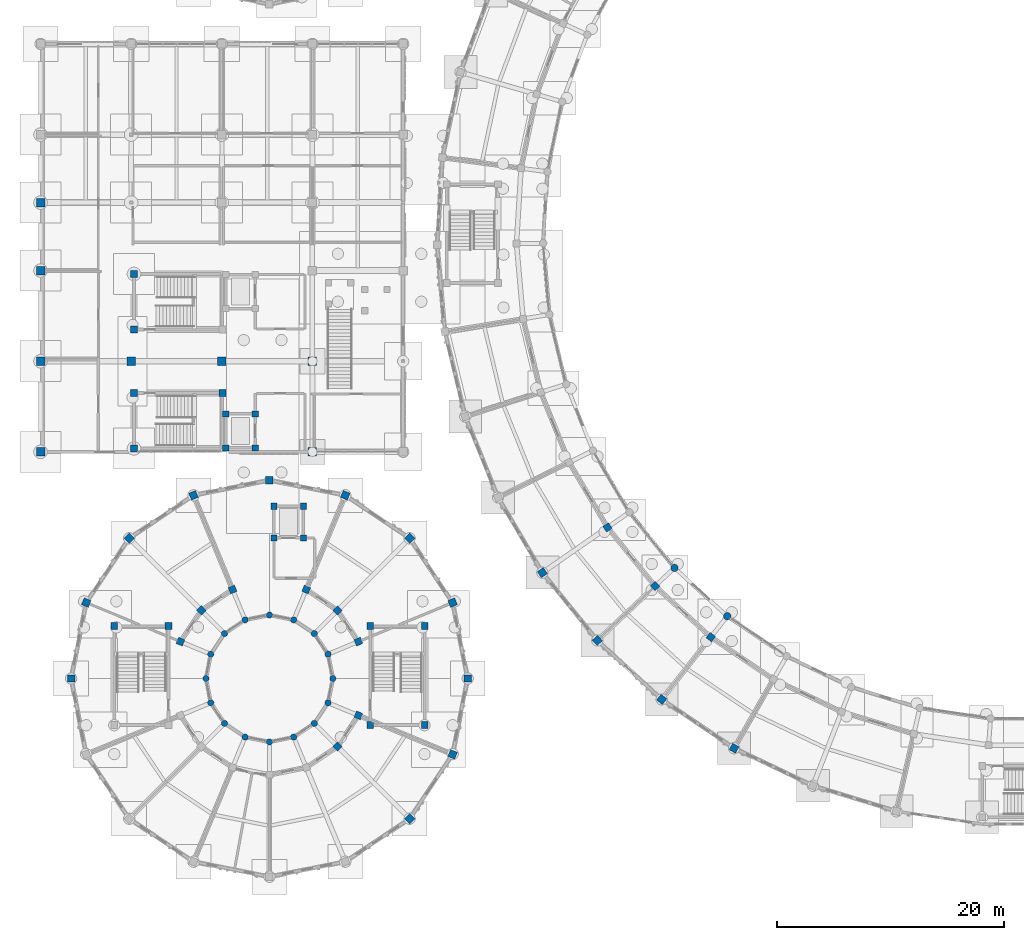
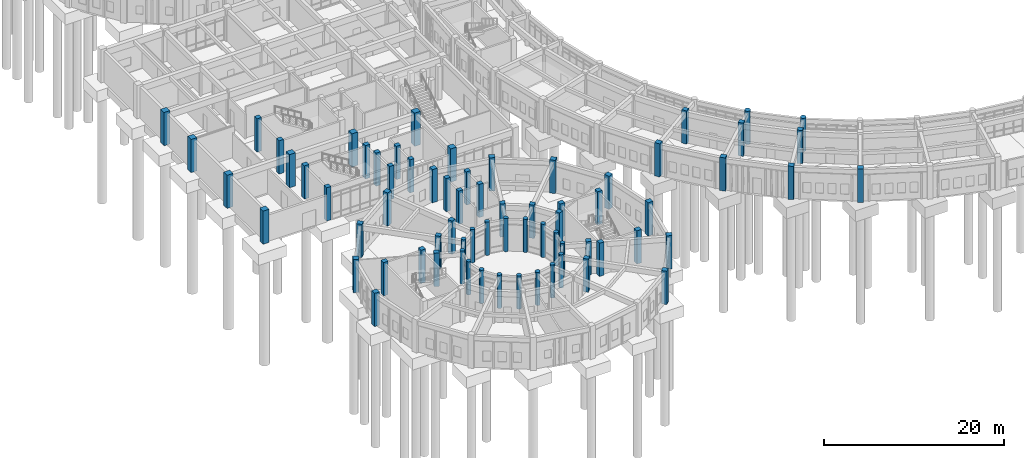
# One storey, part 8 of 153: 71 columns.
"""IFC4 building model written with IfcOpenShell, lengths in metres."""

import ifcopenshell
import ifcopenshell.guid

model = None  # the IFC model being written
_history = None  # IfcOwnerHistory: only IFC2X3 demands one
_inside = {}  # id of a spatial element -> (the spatial element, [elements in it])
_under = {}  # id of a project, library or spatial element -> (it, [spatial elements below it])
_declared = {}  # id of a project -> (the project, [libraries it declares])
_typed = {}  # id of a type object -> (the type object, [elements of that type])
_made_of = {}  # id of a material, layer set ... -> (it, [elements and type objects made of it])


def new_model(schema):
    """Start an empty IFC model of exactly this schema.

    Asked for "IFC4X3", IfcOpenShell would pick the latest addendum, in which some entities
    have other attributes; the version numbers below select the first issue.
    IFC2X3 requires an IfcOwnerHistory on every rooted entity: one is made here for all.
    """
    global model, _history
    if schema == "IFC4X3":
        model = ifcopenshell.file(schema_version=(4, 3, 0, 0))
    else:
        model = ifcopenshell.file(schema=schema)
    _inside.clear()
    _under.clear()
    _declared.clear()
    _typed.clear()
    _made_of.clear()
    _history = None
    if model.schema == "IFC2X3":
        org = make("IfcOrganization", Name="unknown")
        user = make(
            "IfcPersonAndOrganization",
            ThePerson=make("IfcPerson", FamilyName="unknown"),
            TheOrganization=org,
        )
        app = make(
            "IfcApplication",
            ApplicationDeveloper=org,
            Version="unknown",
            ApplicationFullName="unknown",
            ApplicationIdentifier="unknown",
        )
        _history = make(
            "IfcOwnerHistory",
            OwningUser=user,
            OwningApplication=app,
            ChangeAction="ADDED",
            CreationDate=0,
        )
    return model


def make(cls, **values):
    """One entity of the class cls with the attributes given. An attribute that is None is left unset."""
    return model.create_entity(
        cls, **{name: value for name, value in values.items() if value is not None}
    )


def rooted(cls, **values):
    """An entity with a GlobalId (a new one), such as an element, a storey or a relation."""
    return make(cls, GlobalId=ifcopenshell.guid.new(), OwnerHistory=_history, **values)


def si_unit(unit_type, name, prefix=None):
    """IfcSIUnit, for example si_unit("LENGTHUNIT", "METRE", prefix="MILLI")."""
    return make("IfcSIUnit", UnitType=unit_type, Prefix=prefix, Name=name)


def assignment(units):
    """IfcUnitAssignment: the units of a project."""
    return None if units is None else make("IfcUnitAssignment", Units=units)


def point(xyz):
    """IfcCartesianPoint."""
    return None if xyz is None else make("IfcCartesianPoint", Coordinates=xyz)


def direction(xyz):
    """IfcDirection."""
    return None if xyz is None else make("IfcDirection", DirectionRatios=xyz)


def frame(location, z_axis=None, x_axis=None):
    """IfcAxis2Placement3D, a coordinate frame: its origin and axes. An axis left out is left unset."""
    return make(
        "IfcAxis2Placement3D",
        Location=point(location),
        Axis=direction(z_axis),
        RefDirection=direction(x_axis),
    )


def frame_2d(location, x_axis=None):
    """IfcAxis2Placement2D, a coordinate frame in the plane: its origin and x axis."""
    return make(
        "IfcAxis2Placement2D", Location=point(location), RefDirection=direction(x_axis)
    )


def origin():
    """The frame at (0, 0, 0) with its axes left unset."""
    return frame((0.0, 0.0, 0.0))


def origin_2d():
    """The frame at (0, 0) in the plane with its x axis left unset."""
    return frame_2d((0.0, 0.0))


def place(relative_to, where):
    """IfcLocalPlacement: puts the frame where relative to a parent placement (None: the world)."""
    return make(
        "IfcLocalPlacement", PlacementRelTo=relative_to, RelativePlacement=where
    )


def context(
    kind, dimensions, precision=None, world=None, true_north=None, identifier=None
):
    """IfcGeometricRepresentationContext, for example the 3D "Model" context."""
    return make(
        "IfcGeometricRepresentationContext",
        ContextIdentifier=identifier,
        ContextType=kind,
        CoordinateSpaceDimension=dimensions,
        Precision=precision,
        WorldCoordinateSystem=world,
        TrueNorth=true_north,
    )


def subcontext(parent, identifier, kind, view, scale=None):
    """IfcGeometricRepresentationSubContext, for example "Body" below "Model"."""
    return make(
        "IfcGeometricRepresentationSubContext",
        ContextIdentifier=identifier,
        ContextType=kind,
        ParentContext=parent,
        TargetScale=scale,
        TargetView=view,
    )


def project(units=None, contexts=None):
    """IfcProject with its units and contexts."""
    return rooted(
        "IfcProject",
        Name="project",
        RepresentationContexts=contexts,
        UnitsInContext=assignment(units),
    )


def spatial(cls, under=None, at=None, **own):
    """A site, building, storey or space (cls), placed at a placement, below another one or the project."""
    s = rooted(cls, ObjectPlacement=at, **own)
    if under is not None:
        _under.setdefault(under.id(), (under, []))[1].append(s)
    return s


def profile(cls, at=None, kind="AREA", **sizes):
    """A parametric profile (cls). Its sizes go by their IFC names, for example OverallWidth=200.0."""
    return make(cls, ProfileType=kind, Position=at, **sizes)


def rectangle(**sizes):
    """IfcRectangleProfileDef."""
    return profile("IfcRectangleProfileDef", **sizes)


def circle(**sizes):
    """IfcCircleProfileDef."""
    return profile("IfcCircleProfileDef", **sizes)


def extrude(swept, where, along, depth):
    """IfcExtrudedAreaSolid: the profile swept, set in the frame where, extruded along a direction by depth."""
    return make(
        "IfcExtrudedAreaSolid",
        SweptArea=swept,
        Position=where,
        ExtrudedDirection=direction(along),
        Depth=depth,
    )


def shape(context_of_items, identifier, shape_type, items):
    """IfcShapeRepresentation: the items that make up one representation, for example the "Body"."""
    return make(
        "IfcShapeRepresentation",
        ContextOfItems=context_of_items,
        RepresentationIdentifier=identifier,
        RepresentationType=shape_type,
        Items=items,
    )


def material(Name=None, Category=None):
    """IfcMaterial."""
    return make("IfcMaterial", Name=Name, Category=Category)


def material_profile(
    of_material, cross_section, Name=None, Category=None, Priority=None
):
    """IfcMaterialProfile: a cross section and its material."""
    return make(
        "IfcMaterialProfile",
        Name=Name,
        Material=of_material,
        Profile=cross_section,
        Priority=Priority,
        Category=Category,
    )


def profile_set(profiles, Name=None, composite=None):
    """IfcMaterialProfileSet."""
    return make(
        "IfcMaterialProfileSet",
        Name=Name,
        MaterialProfiles=profiles,
        CompositeProfile=composite,
    )


def made_of(thing, what):
    """Note that an element or type object is made of a material, layer set ...; save() writes the relation."""
    if what is not None:
        _made_of.setdefault(what.id(), (what, []))[1].append(thing)
    return thing


def type_object(cls, material=None, **own):
    """A type object (cls), such as IfcWallType, which elements share."""
    return made_of(rooted(cls, **own), material)


def element(
    cls,
    number,
    at=None,
    inside=None,
    cuts=None,
    type_object=None,
    material=None,
    context=None,
    identifier="Body",
    shape_type=None,
    held_by="IfcProductDefinitionShape",
    body=None,
    shapes=None,
    **own,
):
    """One element of the class cls, such as IfcWall. Its Tag is "e" and its number.

    at: its placement. inside: the storey or other place that contains it. cuts: it is an
    opening in that element (IfcRelVoidsElement). A single representation is given by context,
    identifier, shape_type and body (its items); several are given by shapes. held_by: the class
    of the entity that holds the representations. save() writes the other relations.
    """
    e = rooted(cls, Tag="e%d" % number, ObjectPlacement=at, **own)
    if body is not None:
        shapes = [shape(context, identifier, shape_type, body)]
    if shapes is not None:
        e.Representation = make(held_by, Representations=shapes)
    if inside is not None:
        _inside.setdefault(inside.id(), (inside, []))[1].append(e)
    if cuts is not None:
        rooted(
            "IfcRelVoidsElement", RelatingBuildingElement=cuts, RelatedOpeningElement=e
        )
    if type_object is not None:
        _typed.setdefault(type_object.id(), (type_object, []))[1].append(e)
    return made_of(e, material)


def aggregate(whole, parts):
    """IfcRelAggregates: a whole, such as a stair, and the parts it consists of."""
    return rooted("IfcRelAggregates", RelatingObject=whole, RelatedObjects=parts)


def save(model, path):
    """Write the relations noted so far, then the file.

    IfcRelAggregates (storeys below a building ...), IfcRelContainedInSpatialStructure (elements
    in a storey), IfcRelDefinesByType, IfcRelAssociatesMaterial and IfcRelDeclares: one each for
    every whole, place, type object, material and project.
    """
    for whole, parts in _under.values():
        aggregate(whole, parts)
    for where, things in _inside.values():
        rooted(
            "IfcRelContainedInSpatialStructure",
            RelatedElements=things,
            RelatingStructure=where,
        )
    for kind, things in _typed.values():
        rooted("IfcRelDefinesByType", RelatedObjects=things, RelatingType=kind)
    for what, things in _made_of.values():
        rooted("IfcRelAssociatesMaterial", RelatedObjects=things, RelatingMaterial=what)
    for by, libraries in _declared.values():
        rooted("IfcRelDeclares", RelatingContext=by, RelatedDefinitions=libraries)
    model.write(path)


model = new_model("IFC4")

# Units and contexts
model_context = context("Model", 3, precision=1e-05, world=origin(), true_north=direction((0.0, 1.0)))
body_context = subcontext(model_context, "Body", "Model", "MODEL_VIEW")
ifc_project = project(units=[si_unit("LENGTHUNIT", "METRE"), si_unit("AREAUNIT", "SQUARE_METRE"), si_unit("VOLUMEUNIT", "CUBIC_METRE"), si_unit("PLANEANGLEUNIT", "RADIAN"), si_unit("MASSUNIT", "GRAM", prefix="KILO")], contexts=[model_context])

# Site, building, storey
site_placement = place(None, origin())
site = spatial("IfcSite", under=ifc_project, at=site_placement, CompositionType="ELEMENT")
building_placement = place(site_placement, origin())
building = spatial("IfcBuilding", under=site, at=building_placement, Name="Celadon Cloister-Ring School", CompositionType="ELEMENT")
storey_placement = place(building_placement, origin())
storey = spatial("IfcBuildingStorey", under=building, at=storey_placement, Name="L00", CompositionType="ELEMENT", Elevation=0.0)

# Columns
ifc_material_1 = material(Name="Concrete C40/50", Category="concrete")
ifc_material_profile_1 = material_profile(ifc_material_1, rectangle(XDim=0.75, YDim=0.75, at=origin_2d()), Name="RC750X750")
ifc_profile_set_1 = profile_set([ifc_material_profile_1], Name="Concrete C40/50")
column_type_1 = type_object("IfcColumnType", Name="CT-01", PredefinedType="COLUMN", material=ifc_profile_set_1)
for number, where, z_axis, x_axis, name in (
    (1, (0.0, 40.0, 0.0), (0.0, 0.0, 1.0), (1.0, 0.0, 0.0), "Column 1058"),
    (2, (0.0, 48.0, 0.0), (0.0, 0.0, 1.0), (1.0, 0.0, 0.0), "Column 1064"),
    (3, (0.0, 56.0, 0.0), (0.0, 0.0, 1.0), (1.0, 0.0, 0.0), "Column 1070"),
    (4, (0.0, 62.0, 0.0), (0.0, 0.0, 1.0), (1.0, 0.0, 0.0), "Column 1076"),
    (5, (16.0, 48.0, 0.0), (0.0, 0.0, 1.0), (1.0, 0.0, 0.0), "Column 1092"),
    (6, (24.0, 40.0, 0.0), (0.0, 0.0, 1.0), (1.0, 0.0, 0.0), "Column 1114"),
    (7, (24.0, 48.0, 0.0), (0.0, 0.0, 1.0), (1.0, 0.0, 0.0), "Column 1120"),
    (8, (8.0, 48.0, 0.0), (0.0, 0.0, 1.0), (1.0, 0.0, 0.0), "Column 1177"),
):
    element("IfcColumn", number, at=place(storey_placement, frame(where, z_axis=z_axis, x_axis=x_axis)), inside=storey, type_object=column_type_1, Name=name, PredefinedType="COLUMN", context=body_context, shape_type="SweptSolid", body=[
        extrude(rectangle(XDim=0.75, YDim=0.75, at=origin_2d()), origin(), (0.0, 0.0, 1.0), 4.5),
    ])
ifc_material_2 = material(Name="Concrete C40/50", Category="concrete")
ifc_material_profile_2 = material_profile(ifc_material_2, rectangle(XDim=0.60009765625, YDim=0.60009765625, at=origin_2d()), Name="RC600X600")
ifc_profile_set_2 = profile_set([ifc_material_profile_2], Name="Concrete C40/50")
column_type_2 = type_object("IfcColumnType", Name="CT-04", PredefinedType="COLUMN", material=ifc_profile_set_2)
for number, where, z_axis, x_axis, name in (
    (9, (8.25, 40.300048828125, 0.0), (0.0, 0.0, 1.0), (1.0, 0.0, 0.0), "Column 0123"),
    (10, (16.050048828125, 45.199951171875, 0.0), (0.0, 0.0, 1.0), (1.0, 0.0, 0.0), "Column 0129"),
    (11, (8.25, 45.199951171875, 0.0), (0.0, 0.0, 1.0), (1.0, 0.0, 0.0), "Column 0135"),
    (12, (8.25, 50.800048828125, 0.0), (0.0, 0.0, 1.0), (1.0, 0.0, 0.0), "Column 0141"),
    (13, (8.25, 55.699951171875, 0.0), (0.0, 0.0, 1.0), (1.0, 0.0, 0.0), "Column 0153"),
    (14, (11.300048828125, 24.6201171875, 0.0), (0.0, 0.0, 1.0), (1.0, 0.0, 0.0), "Column 0167"),
    (15, (6.5, 24.6201171875, 0.0), (0.0, 0.0, 1.0), (1.0, 0.0, 0.0), "Column 0171"),
    (16, (29.10009765625, 15.89990234375, 0.0), (0.0, 0.0, 1.0), (1.0, 0.0, 0.0), "Column 0175"),
    (17, (33.89990234375, 15.89990234375, 0.0), (0.0, 0.0, 1.0), (1.0, 0.0, 0.0), "Column 0179"),
    (18, (33.89990234375, 24.6201171875, 0.0), (0.0, 0.0, 1.0), (1.0, 0.0, 0.0), "Column 0183"),
    (19, (29.10009765625, 24.6201171875, 0.0), (0.0, 0.0, 1.0), (1.0, 0.0, 0.0), "Column 0187"),
    (20, (50.0380859375, 33.3330078125, 0.0), (0.0, 0.0, 1.0), (-0.821388197028, -0.57036955545, 0.0), "Column 0440"),
    (21, (54.235107421875, 28.154052734375, 0.0), (0.0, 0.0, 1.0), (-0.728107824814, -0.685462614185, 0.0), "Column 0444"),
    (22, (59.152099609375, 23.652099609375, 0.0), (0.0, 0.0, 1.0), (-0.618847204173, -0.785511386224, 0.0), "Column 0448"),
    (23, (28.052978515625, 23.2529296875, 0.0), (0.0, 0.0, 1.0), (0.923879532511, 0.382683432365, 0.0), "Column 1263"),
    (24, (26.2099609375, 26.010009765625, 0.0), (0.0, 0.0, 1.0), (0.707106781187, 0.707106781187, 0.0), "Column 1267"),
    (25, (23.452880859375, 27.85302734375, 0.0), (0.0, 0.0, 1.0), (0.382683432365, 0.923879532511, 0.0), "Column 1271"),
    (26, (16.947021484375, 27.85302734375, 0.0), (0.0, 0.0, 1.0), (-0.382683432365, 0.923879532511, 0.0), "Column 1275"),
    (27, (14.18994140625, 26.010009765625, 0.0), (0.0, 0.0, 1.0), (-0.707106781187, 0.707106781187, 0.0), "Column 1279"),
    (28, (12.346923828125, 23.2529296875, 0.0), (0.0, 0.0, 1.0), (-0.923879532511, 0.382683432365, 0.0), "Column 1283"),
    (29, (26.2099609375, 13.989990234375, 0.0), (0.0, 0.0, 1.0), (0.707106781187, -0.707106781187, 0.0), "Column 1307"),
    (30, (28.052978515625, 16.7470703125, 0.0), (0.0, 0.0, 1.0), (0.923879532511, -0.382683432365, 0.0), "Column 1311"),
):
    element("IfcColumn", number, at=place(storey_placement, frame(where, z_axis=z_axis, x_axis=x_axis)), inside=storey, type_object=column_type_2, Name=name, PredefinedType="COLUMN", context=body_context, shape_type="SweptSolid", body=[
        extrude(rectangle(XDim=0.60009765625, YDim=0.60009765625, at=origin_2d()), origin(), (0.0, 0.0, 1.0), 4.5),
    ])
ifc_material_3 = material(Name="Concrete C40/50", Category="concrete")
ifc_material_profile_3 = material_profile(ifc_material_3, rectangle(XDim=0.550048828125, YDim=0.550048828125, at=origin_2d()), Name="RC550X550")
ifc_profile_set_3 = profile_set([ifc_material_profile_3], Name="Concrete C40/50")
column_type_3 = type_object("IfcColumnType", Name="CT-05", PredefinedType="COLUMN", material=ifc_profile_set_3)
for number, where, z_axis, x_axis, name in (
    (31, (16.35009765625, 40.35009765625, 0.0), (0.0, 0.0, 1.0), (1.0, 0.0, 0.0), "Column 0212"),
    (32, (18.949951171875, 40.35009765625, 0.0), (0.0, 0.0, 1.0), (1.0, 0.0, 0.0), "Column 0218"),
    (33, (18.949951171875, 43.35009765625, 0.0), (0.0, 0.0, 1.0), (1.0, 0.0, 0.0), "Column 0224"),
    (34, (16.35009765625, 43.35009765625, 0.0), (0.0, 0.0, 1.0), (1.0, 0.0, 0.0), "Column 0230"),
    (35, (20.60009765625, 32.39990234375, 0.0), (0.0, 0.0, 1.0), (1.0, 0.0, 0.0), "Column 0292"),
    (36, (23.199951171875, 32.39990234375, 0.0), (0.0, 0.0, 1.0), (1.0, 0.0, 0.0), "Column 0296"),
    (37, (23.199951171875, 35.199951171875, 0.0), (0.0, 0.0, 1.0), (1.0, 0.0, 0.0), "Column 0300"),
    (38, (20.60009765625, 35.199951171875, 0.0), (0.0, 0.0, 1.0), (1.0, 0.0, 0.0), "Column 0304"),
):
    element("IfcColumn", number, at=place(storey_placement, frame(where, z_axis=z_axis, x_axis=x_axis)), inside=storey, type_object=column_type_3, Name=name, PredefinedType="COLUMN", context=body_context, shape_type="SweptSolid", body=[
        extrude(rectangle(XDim=0.550048828125, YDim=0.550048828125, at=origin_2d()), origin(), (0.0, 0.0, 1.0), 4.5),
    ])
ifc_material_4 = material(Name="Concrete C40/50", Category="concrete")
ifc_material_profile_4 = material_profile(ifc_material_4, circle(Radius=0.27490234375, at=origin_2d()), Name="CIRC550")
ifc_profile_set_4 = profile_set([ifc_material_profile_4], Name="Concrete C40/50")
column_type_4 = type_object("IfcColumnType", Name="CT-07", PredefinedType="COLUMN", material=ifc_profile_set_4)
for number, where, z_axis, x_axis, name in (
    (39, (25.800048828125, 20.0, 0.0), (0.0, 0.0, 1.0), (1.0, 0.0, 0.0), "Column 1199"),
    (40, (25.3740234375, 22.14306640625, 0.0), (0.0, 0.0, 1.0), (1.0, 0.0, 0.0), "Column 1203"),
    (41, (24.159912109375, 23.9599609375, 0.0), (0.0, 0.0, 1.0), (1.0, 0.0, 0.0), "Column 1207"),
    (42, (22.343017578125, 25.174072265625, 0.0), (0.0, 0.0, 1.0), (1.0, 0.0, 0.0), "Column 1211"),
    (43, (20.199951171875, 25.60009765625, 0.0), (0.0, 0.0, 1.0), (1.0, 0.0, 0.0), "Column 1215"),
    (44, (18.056884765625, 25.174072265625, 0.0), (0.0, 0.0, 1.0), (1.0, 0.0, 0.0), "Column 1219"),
    (45, (16.239990234375, 23.9599609375, 0.0), (0.0, 0.0, 1.0), (1.0, 0.0, 0.0), "Column 1223"),
    (46, (15.02587890625, 22.14306640625, 0.0), (0.0, 0.0, 1.0), (1.0, 0.0, 0.0), "Column 1227"),
    (47, (14.60009765625, 20.0, 0.0), (0.0, 0.0, 1.0), (1.0, 0.0, 0.0), "Column 1231"),
    (48, (15.02587890625, 17.85693359375, 0.0), (0.0, 0.0, 1.0), (1.0, 0.0, 0.0), "Column 1235"),
    (49, (16.239990234375, 16.0400390625, 0.0), (0.0, 0.0, 1.0), (1.0, 0.0, 0.0), "Column 1239"),
    (50, (18.056884765625, 14.825927734375, 0.0), (0.0, 0.0, 1.0), (1.0, 0.0, 0.0), "Column 1243"),
    (51, (20.199951171875, 14.39990234375, 0.0), (0.0, 0.0, 1.0), (1.0, 0.0, 0.0), "Column 1247"),
    (52, (22.343017578125, 14.825927734375, 0.0), (0.0, 0.0, 1.0), (1.0, 0.0, 0.0), "Column 1251"),
    (53, (24.159912109375, 16.0400390625, 0.0), (0.0, 0.0, 1.0), (1.0, 0.0, 0.0), "Column 1255"),
    (54, (25.3740234375, 17.85693359375, 0.0), (0.0, 0.0, 1.0), (1.0, 0.0, 0.0), "Column 1259"),
):
    element("IfcColumn", number, at=place(storey_placement, frame(where, z_axis=z_axis, x_axis=x_axis)), inside=storey, type_object=column_type_4, Name=name, PredefinedType="COLUMN", context=body_context, shape_type="SweptSolid", body=[
        extrude(circle(Radius=0.27490234375, at=origin_2d()), origin(), (0.0, 0.0, 1.0), 4.5),
    ])
ifc_material_5 = material(Name="Concrete C40/50", Category="concrete")
ifc_material_profile_5 = material_profile(ifc_material_5, rectangle(XDim=0.64990234375, YDim=0.64990234375, at=origin_2d()), Name="RC650X650")
ifc_profile_set_5 = profile_set([ifc_material_profile_5], Name="Concrete C40/50")
column_type_5 = type_object("IfcColumnType", Name="CT-22", PredefinedType="COLUMN", material=ifc_profile_set_5)
for number, where, z_axis, x_axis, name in (
    (55, (44.2880859375, 29.341064453125, 0.0), (0.0, 0.0, 1.0), (-0.821388197028, -0.57036955545, 0.0), "Column 0584"),
    (56, (49.137939453125, 23.35595703125, 0.0), (0.0, 0.0, 1.0), (-0.728107824814, -0.685462614185, 0.0), "Column 0588"),
    (57, (54.820068359375, 18.153076171875, 0.0), (0.0, 0.0, 1.0), (-0.618847204173, -0.785511386224, 0.0), "Column 0592"),
    (58, (61.2080078125, 13.846923828125, 0.0), (0.0, 0.0, 1.0), (-0.496004347874, -0.868320037135, 0.0), "Column 0596"),
    (59, (37.699951171875, 20.0, 0.0), (0.0, 0.0, 1.0), (1.0, 0.0, 0.0), "Column 1315"),
    (60, (36.367919921875, 26.697021484375, 0.0), (0.0, 0.0, 1.0), (0.923879532511, 0.382683432365, 0.0), "Column 1319"),
    (61, (32.573974609375, 32.3740234375, 0.0), (0.0, 0.0, 1.0), (0.707106781187, 0.707106781187, 0.0), "Column 1323"),
    (62, (26.89697265625, 36.16796875, 0.0), (0.0, 0.0, 1.0), (0.382683432365, 0.923879532511, 0.0), "Column 1327"),
    (63, (20.199951171875, 37.5, 0.0), (0.0, 0.0, 1.0), (0.0, 1.0, 0.0), "Column 1331"),
    (64, (13.5029296875, 36.16796875, 0.0), (0.0, 0.0, 1.0), (-0.382683432365, 0.923879532511, 0.0), "Column 1335"),
    (65, (7.825927734375, 32.3740234375, 0.0), (0.0, 0.0, 1.0), (-0.707106781187, 0.707106781187, 0.0), "Column 1339"),
    (66, (4.031982421875, 26.697021484375, 0.0), (0.0, 0.0, 1.0), (-0.923879532511, 0.382683432365, 0.0), "Column 1343"),
    (67, (2.699951171875, 20.0, 0.0), (0.0, 0.0, 1.0), (-1.0, 0.0, 0.0), "Column 1347"),
    (68, (32.573974609375, 7.6259765625, 0.0), (0.0, 0.0, 1.0), (0.707106781187, -0.707106781187, 0.0), "Column 1371"),
    (69, (36.367919921875, 13.302978515625, 0.0), (0.0, 0.0, 1.0), (0.923879532511, -0.382683432365, 0.0), "Column 1375"),
):
    element("IfcColumn", number, at=place(storey_placement, frame(where, z_axis=z_axis, x_axis=x_axis)), inside=storey, type_object=column_type_5, Name=name, PredefinedType="COLUMN", context=body_context, shape_type="SweptSolid", body=[
        extrude(rectangle(XDim=0.64990234375, YDim=0.64990234375, at=origin_2d()), origin(), (0.0, 0.0, 1.0), 4.5),
    ])
ifc_material_6 = material(Name="Concrete C40/50", Category="concrete")
ifc_material_profile_6 = material_profile(ifc_material_6, circle(Radius=0.324951171875, at=origin_2d()), Name="CIRC650")
ifc_profile_set_6 = profile_set([ifc_material_profile_6], Name="Concrete C40/50")
column_type_6 = type_object("IfcColumnType", Name="CT-25", PredefinedType="COLUMN", material=ifc_profile_set_6)
for number, where, z_axis, x_axis, name in (
    (70, (55.946044921875, 29.764892578125, 0.0), (0.0, 0.0, 1.0), (1.0, 0.0, 0.0), "Column 0348"),
    (71, (60.60595703125, 25.498046875, 0.0), (0.0, 0.0, 1.0), (1.0, 0.0, 0.0), "Column 0350"),
):
    element("IfcColumn", number, at=place(storey_placement, frame(where, z_axis=z_axis, x_axis=x_axis)), inside=storey, type_object=column_type_6, Name=name, PredefinedType="COLUMN", context=body_context, shape_type="SweptSolid", body=[
        extrude(circle(Radius=0.324951171875, at=origin_2d()), origin(), (0.0, 0.0, 1.0), 4.5),
    ])

save(model, "model.ifc")
